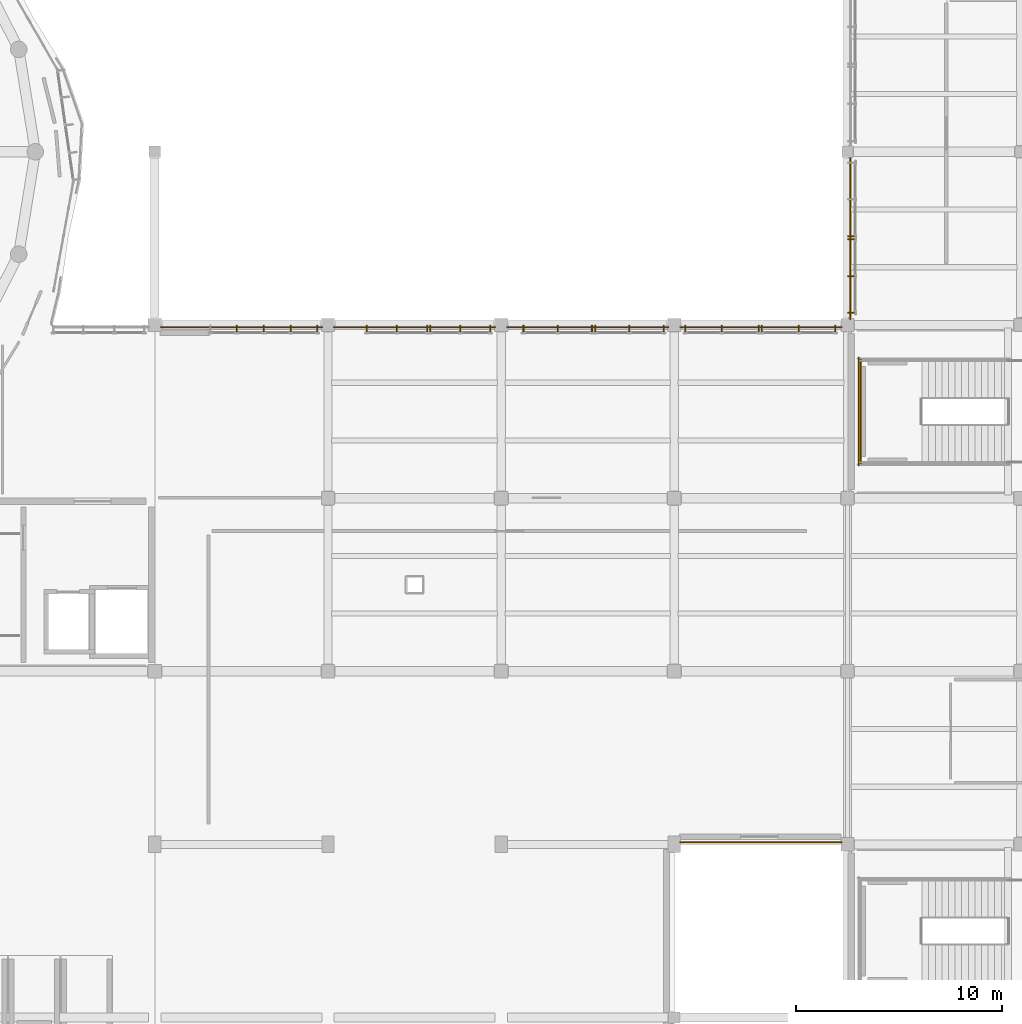
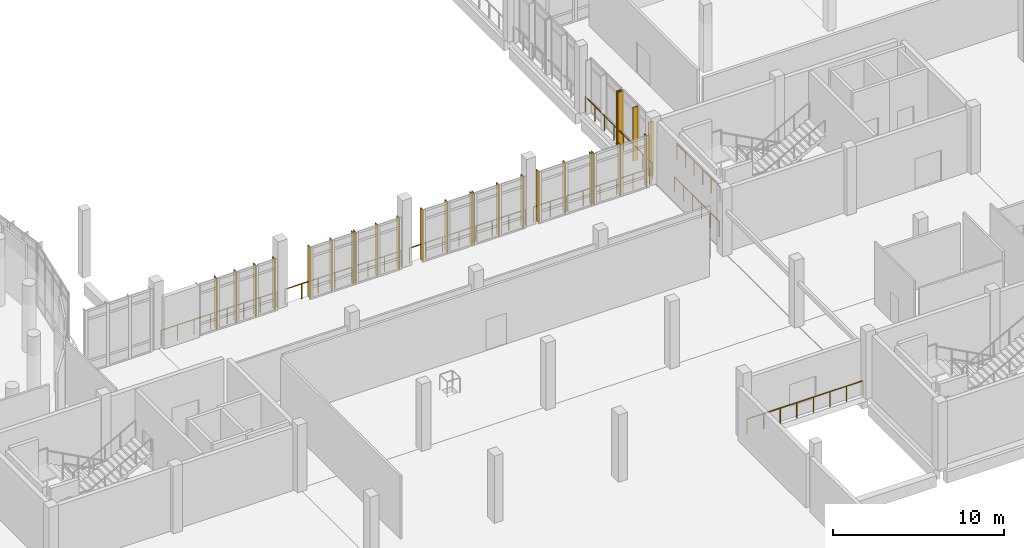
# One storey, part 54 of 63: 26 shading devices, 8 railings.
"""IFC4 building model written with IfcOpenShell, lengths in metres."""

from ifc_helpers import new_model, si_unit, derived_unit, direction, frame, origin, origin_2d, place, context, subcontext, project, spatial, rectangle, circle, extrude, material, type_object, element, save


model = new_model("IFC4")

# Units and contexts
model_context = context("Model", 3, precision=1e-05, world=origin(), true_north=direction((0.0, 1.0)))
body_context = subcontext(model_context, "Body", "Model", "MODEL_VIEW")
ifc_project = project(units=[si_unit("LENGTHUNIT", "METRE"), si_unit("AREAUNIT", "SQUARE_METRE"), si_unit("VOLUMEUNIT", "CUBIC_METRE"), si_unit("PLANEANGLEUNIT", "RADIAN"), si_unit("MASSUNIT", "GRAM", prefix="KILO"), derived_unit("THERMALTRANSMITTANCEUNIT", [(si_unit("POWERUNIT", "WATT"), 1), (si_unit("LENGTHUNIT", "METRE"), -2), (si_unit("THERMODYNAMICTEMPERATUREUNIT", "KELVIN"), -1)])], contexts=[model_context])

# Site, building, storey
site_placement = place(None, origin())
site = spatial("IfcSite", under=ifc_project, at=site_placement, CompositionType="ELEMENT")
building_placement = place(site_placement, origin())
building = spatial("IfcBuilding", under=site, at=building_placement, Name="Elbkamm Science Centre", CompositionType="ELEMENT")
storey_placement = place(building_placement, frame((0.0, 0.0, 5.10009765625)))
storey = spatial("IfcBuildingStorey", under=building, at=storey_placement, Name="L01", CompositionType="ELEMENT", Elevation=5.10009765625)

# Railings
ifc_material_1 = material(Name="Stainless steel EN 1.4401", Category="steel")
railing_type_1 = type_object("IfcRailingType", Name="RAIL-EXT-GUARD-1100", PredefinedType="GUARDRAIL", material=ifc_material_1)
railing_1_placement = place(storey_placement, frame((92.679931640625, 58.699951171875, 0.0)))
element("IfcRailing", 1, at=railing_1_placement, inside=storey, type_object=railing_type_1, Name="L01 Slab Edge Perimeter Guard 020", PredefinedType="GUARDRAIL", context=body_context, shape_type="SweptSolid", body=[
    extrude(circle(Radius=0.02392578125, at=origin_2d()), frame((0.0, 0.0, 1.078125), z_axis=(1.0, 0.0, 0.0), x_axis=(0.0, 1.0, 0.0)), (0.0, 0.0, 1.0), 7.840087890625),
    extrude(circle(Radius=0.02001953125, at=origin_2d()), origin(), (0.0, 0.0, 1.0), 1.048095703125),
    extrude(circle(Radius=0.02001953125, at=origin_2d()), frame((1.1201171875, 0.0, 0.0)), (0.0, 0.0, 1.0), 1.048095703125),
    extrude(circle(Radius=0.02001953125, at=origin_2d()), frame((2.239990234375, 0.0, 0.0)), (0.0, 0.0, 1.0), 1.048095703125),
    extrude(circle(Radius=0.02001953125, at=origin_2d()), frame((3.360107421875, 0.0, 0.0)), (0.0, 0.0, 1.0), 1.048095703125),
    extrude(circle(Radius=0.02001953125, at=origin_2d()), frame((4.47998046875, 0.0, 0.0)), (0.0, 0.0, 1.0), 1.048095703125),
    extrude(circle(Radius=0.02001953125, at=origin_2d()), frame((5.60009765625, 0.0, 0.0)), (0.0, 0.0, 1.0), 1.048095703125),
    extrude(circle(Radius=0.02001953125, at=origin_2d()), frame((6.719970703125, 0.0, 0.0)), (0.0, 0.0, 1.0), 1.048095703125),
    extrude(circle(Radius=0.02001953125, at=origin_2d()), frame((7.840087890625, 0.0, 0.0)), (0.0, 0.0, 1.0), 1.048095703125),
])
railing_2_placement = place(storey_placement, frame((101.080078125, 58.699951171875, 0.0)))
element("IfcRailing", 2, at=railing_2_placement, inside=storey, type_object=railing_type_1, Name="L01 Slab Edge Perimeter Guard 021", PredefinedType="GUARDRAIL", context=body_context, shape_type="SweptSolid", body=[
    extrude(circle(Radius=0.02392578125, at=origin_2d()), frame((0.0, 0.0, 1.078125), z_axis=(1.0, 0.0, 0.0), x_axis=(0.0, 1.0, 0.0)), (0.0, 0.0, 1.0), 7.83984375),
    extrude(circle(Radius=0.02001953125, at=origin_2d()), origin(), (0.0, 0.0, 1.0), 1.048095703125),
    extrude(circle(Radius=0.02001953125, at=origin_2d()), frame((1.119873046875, 0.0, 0.0)), (0.0, 0.0, 1.0), 1.048095703125),
    extrude(circle(Radius=0.02001953125, at=origin_2d()), frame((2.239990234375, 0.0, 0.0)), (0.0, 0.0, 1.0), 1.048095703125),
    extrude(circle(Radius=0.02001953125, at=origin_2d()), frame((3.35986328125, 0.0, 0.0)), (0.0, 0.0, 1.0), 1.048095703125),
    extrude(circle(Radius=0.02001953125, at=origin_2d()), frame((4.47998046875, 0.0, 0.0)), (0.0, 0.0, 1.0), 1.048095703125),
    extrude(circle(Radius=0.02001953125, at=origin_2d()), frame((5.599853515625, 0.0, 0.0)), (0.0, 0.0, 1.0), 1.048095703125),
    extrude(circle(Radius=0.02001953125, at=origin_2d()), frame((6.719970703125, 0.0, 0.0)), (0.0, 0.0, 1.0), 1.048095703125),
    extrude(circle(Radius=0.02001953125, at=origin_2d()), frame((7.83984375, 0.0, 0.0)), (0.0, 0.0, 1.0), 1.048095703125),
])
for number, where, name in (
    (3, (109.47998046875, 58.699951171875, 0.0), "L01 Slab Edge Perimeter Guard 022"),
    (4, (117.8798828125, 58.699951171875, 0.0), "L01 Slab Edge Perimeter Guard 023"),
):
    element("IfcRailing", number, at=place(storey_placement, frame(where)), inside=storey, type_object=railing_type_1, Name=name, PredefinedType="GUARDRAIL", context=body_context, shape_type="SweptSolid", body=[
        extrude(circle(Radius=0.02392578125, at=origin_2d()), frame((0.0, 0.0, 1.078125), z_axis=(1.0, 0.0, 0.0), x_axis=(0.0, 1.0, 0.0)), (0.0, 0.0, 1.0), 7.840087890625),
        extrude(circle(Radius=0.02001953125, at=origin_2d()), origin(), (0.0, 0.0, 1.0), 1.048095703125),
        extrude(circle(Radius=0.02001953125, at=origin_2d()), frame((1.1201171875, 0.0, 0.0)), (0.0, 0.0, 1.0), 1.048095703125),
        extrude(circle(Radius=0.02001953125, at=origin_2d()), frame((2.239990234375, 0.0, 0.0)), (0.0, 0.0, 1.0), 1.048095703125),
        extrude(circle(Radius=0.02001953125, at=origin_2d()), frame((3.360107421875, 0.0, 0.0)), (0.0, 0.0, 1.0), 1.048095703125),
        extrude(circle(Radius=0.02001953125, at=origin_2d()), frame((4.47998046875, 0.0, 0.0)), (0.0, 0.0, 1.0), 1.048095703125),
        extrude(circle(Radius=0.02001953125, at=origin_2d()), frame((5.60009765625, 0.0, 0.0)), (0.0, 0.0, 1.0), 1.048095703125),
        extrude(circle(Radius=0.02001953125, at=origin_2d()), frame((6.719970703125, 0.0, 0.0)), (0.0, 0.0, 1.0), 1.048095703125),
        extrude(circle(Radius=0.02001953125, at=origin_2d()), frame((7.840087890625, 0.0, 0.0)), (0.0, 0.0, 1.0), 1.048095703125),
    ])
railing_3_placement = place(storey_placement, frame((126.125, 59.078857421875, 0.0)))
element("IfcRailing", 5, at=railing_3_placement, inside=storey, type_object=railing_type_1, Name="L01 Slab Edge Perimeter Guard 024", PredefinedType="GUARDRAIL", context=body_context, shape_type="SweptSolid", body=[
    extrude(circle(Radius=0.02392578125, at=origin_2d()), frame((0.0, 0.0, 1.078125), z_axis=(0.0, 1.0, 0.0), x_axis=(-1.0, 0.0, 0.0)), (0.0, 0.0, 1.0), 7.84228515625),
    extrude(circle(Radius=0.02001953125, at=origin_2d()), origin(), (0.0, 0.0, 1.0), 1.048095703125),
    extrude(circle(Radius=0.02001953125, at=origin_2d()), frame((0.0, 1.120361328125, 0.0)), (0.0, 0.0, 1.0), 1.048095703125),
    extrude(circle(Radius=0.02001953125, at=origin_2d()), frame((0.0, 2.24072265625, 0.0)), (0.0, 0.0, 1.0), 1.048095703125),
    extrude(circle(Radius=0.02001953125, at=origin_2d()), frame((0.0, 3.361083984375, 0.0)), (0.0, 0.0, 1.0), 1.048095703125),
    extrude(circle(Radius=0.02001953125, at=origin_2d()), frame((0.0, 4.481201171875, 0.0)), (0.0, 0.0, 1.0), 1.048095703125),
    extrude(circle(Radius=0.02001953125, at=origin_2d()), frame((0.0, 5.6015625, 0.0)), (0.0, 0.0, 1.0), 1.048095703125),
    extrude(circle(Radius=0.02001953125, at=origin_2d()), frame((0.0, 6.721923828125, 0.0)), (0.0, 0.0, 1.0), 1.048095703125),
    extrude(circle(Radius=0.02001953125, at=origin_2d()), frame((0.0, 7.84228515625, 0.0)), (0.0, 0.0, 1.0), 1.048095703125),
])
railing_4_placement = place(storey_placement, frame((125.719970703125, 33.699951171875, 0.0)))
element("IfcRailing", 6, at=railing_4_placement, inside=storey, type_object=railing_type_1, Name="L01 Slab Edge Perimeter Guard 033", PredefinedType="GUARDRAIL", context=body_context, shape_type="SweptSolid", body=[
    extrude(circle(Radius=0.02392578125, at=origin_2d()), frame((0.0, 0.0, 1.078125), z_axis=(-1.0, 0.0, 0.0), x_axis=(0.0, -1.0, 0.0)), (0.0, 0.0, 1.0), 7.840087890625),
    extrude(circle(Radius=0.02001953125, at=origin_2d()), origin(), (0.0, 0.0, 1.0), 1.048095703125),
    extrude(circle(Radius=0.02001953125, at=origin_2d()), frame((-1.1201171875, 0.0, 0.0)), (0.0, 0.0, 1.0), 1.048095703125),
    extrude(circle(Radius=0.02001953125, at=origin_2d()), frame((-2.239990234375, 0.0, 0.0)), (0.0, 0.0, 1.0), 1.048095703125),
    extrude(circle(Radius=0.02001953125, at=origin_2d()), frame((-3.360107421875, 0.0, 0.0)), (0.0, 0.0, 1.0), 1.048095703125),
    extrude(circle(Radius=0.02001953125, at=origin_2d()), frame((-4.47998046875, 0.0, 0.0)), (0.0, 0.0, 1.0), 1.048095703125),
    extrude(circle(Radius=0.02001953125, at=origin_2d()), frame((-5.60009765625, 0.0, 0.0)), (0.0, 0.0, 1.0), 1.048095703125),
    extrude(circle(Radius=0.02001953125, at=origin_2d()), frame((-6.719970703125, 0.0, 0.0)), (0.0, 0.0, 1.0), 1.048095703125),
    extrude(circle(Radius=0.02001953125, at=origin_2d()), frame((-7.840087890625, 0.0, 0.0)), (0.0, 0.0, 1.0), 1.048095703125),
])
railing_type_2 = type_object("IfcRailingType", Name="RAIL-GUARD-1100", PredefinedType="GUARDRAIL", material=ifc_material_1)
railing_5_placement = place(storey_placement, frame((126.64990234375, 57.1201171875, 2.39990234375)))
element("IfcRailing", 7, at=railing_5_placement, inside=storey, type_object=railing_type_2, Name="L01 ST-C3 stair guard 5", PredefinedType="GUARDRAIL", context=body_context, shape_type="SweptSolid", body=[
    extrude(circle(Radius=0.02392578125, at=origin_2d()), frame((0.0, 0.0, 1.078125), z_axis=(0.0, -1.0, 0.0), x_axis=(1.0, 0.0, 0.0)), (0.0, 0.0, 1.0), 5.0400390625),
    extrude(circle(Radius=0.02001953125, at=origin_2d()), origin(), (0.0, 0.0, 1.0), 1.048095703125),
    extrude(circle(Radius=0.02001953125, at=origin_2d()), frame((0.0, -1.008056640625, 0.0)), (0.0, 0.0, 1.0), 1.048095703125),
    extrude(circle(Radius=0.02001953125, at=origin_2d()), frame((0.0, -2.01611328125, 0.0)), (0.0, 0.0, 1.0), 1.048095703125),
    extrude(circle(Radius=0.02001953125, at=origin_2d()), frame((0.0, -3.02392578125, 0.0)), (0.0, 0.0, 1.0), 1.048095703125),
    extrude(circle(Radius=0.02001953125, at=origin_2d()), frame((0.0, -4.031982421875, 0.0)), (0.0, 0.0, 1.0), 1.048095703125),
    extrude(circle(Radius=0.02001953125, at=origin_2d()), frame((0.0, -5.0400390625, 0.0)), (0.0, 0.0, 1.0), 1.048095703125),
])
railing_6_placement = place(storey_placement, frame((126.550048828125, 57.219970703125, 0.0)))
element("IfcRailing", 8, at=railing_6_placement, inside=storey, type_object=railing_type_2, Name="L01 ST-C3 stair guard 12", PredefinedType="GUARDRAIL", context=body_context, shape_type="SweptSolid", body=[
    extrude(circle(Radius=0.02392578125, at=origin_2d()), frame((0.0, 0.0, 1.078125), z_axis=(0.0, -1.0, 0.0), x_axis=(1.0, 0.0, 0.0)), (0.0, 0.0, 1.0), 5.239990234375),
    extrude(circle(Radius=0.02001953125, at=origin_2d()), origin(), (0.0, 0.0, 1.0), 1.048095703125),
    extrude(circle(Radius=0.02001953125, at=origin_2d()), frame((0.0, -1.048095703125, 0.0)), (0.0, 0.0, 1.0), 1.048095703125),
    extrude(circle(Radius=0.02001953125, at=origin_2d()), frame((0.0, -2.095947265625, 0.0)), (0.0, 0.0, 1.0), 1.048095703125),
    extrude(circle(Radius=0.02001953125, at=origin_2d()), frame((0.0, -3.14404296875, 0.0)), (0.0, 0.0, 1.0), 1.048095703125),
    extrude(circle(Radius=0.02001953125, at=origin_2d()), frame((0.0, -4.19189453125, 0.0)), (0.0, 0.0, 1.0), 1.048095703125),
    extrude(circle(Radius=0.02001953125, at=origin_2d()), frame((0.0, -5.239990234375, 0.0)), (0.0, 0.0, 1.0), 1.048095703125),
])

# Shading devices
ifc_material_2 = material(Name="Terracotta-ochre powder-coated aluminium EN AW-6060", Category="masonry")
shading_device_type = type_object("IfcShadingDeviceType", Name="SHD-LOUVRE-420", PredefinedType="USERDEFINED", material=ifc_material_2)
for number, where, z_axis, x_axis, name in (
    (9, (96.361572265625, 58.614990234375, 0.0), (0.0, 0.0, 1.0), (0.0, 1.0, 0.0), "L01 Brise-Soleil Sunshade Fin 0168"),
    (10, (97.678955078125, 58.614990234375, 0.0), (0.0, 0.0, 1.0), (0.0, 1.0, 0.0), "L01 Brise-Soleil Sunshade Fin 0169"),
    (11, (98.996337890625, 58.614990234375, 0.0), (0.0, 0.0, 1.0), (0.0, 1.0, 0.0), "L01 Brise-Soleil Sunshade Fin 0170"),
    (12, (100.27880859375, 58.614990234375, 0.0), (0.0, 0.0, 1.0), (0.0, 1.0, 0.0), "L01 Brise-Soleil Sunshade Fin 0171"),
    (13, (102.680419921875, 58.614990234375, 0.0), (0.0, 0.0, 1.0), (0.0, 1.0, 0.0), "L01 Brise-Soleil Sunshade Fin 0172"),
    (14, (104.142578125, 58.614990234375, 0.0), (0.0, 0.0, 1.0), (0.0, 1.0, 0.0), "L01 Brise-Soleil Sunshade Fin 0173"),
    (15, (105.6044921875, 58.614990234375, 0.0), (0.0, 0.0, 1.0), (0.0, 1.0, 0.0), "L01 Brise-Soleil Sunshade Fin 0174"),
    (16, (105.754638671875, 58.614990234375, 0.0), (0.0, 0.0, 1.0), (0.0, 1.0, 0.0), "L01 Brise-Soleil Sunshade Fin 0175"),
    (17, (107.216796875, 58.614990234375, 0.0), (0.0, 0.0, 1.0), (0.0, 1.0, 0.0), "L01 Brise-Soleil Sunshade Fin 0176"),
    (18, (108.6787109375, 58.614990234375, 0.0), (0.0, 0.0, 1.0), (0.0, 1.0, 0.0), "L01 Brise-Soleil Sunshade Fin 0177"),
    (19, (110.281982421875, 58.614990234375, 0.0), (0.0, 0.0, 1.0), (0.0, 1.0, 0.0), "L01 Brise-Soleil Sunshade Fin 0178"),
    (20, (111.943603515625, 58.614990234375, 0.0), (0.0, 0.0, 1.0), (0.0, 1.0, 0.0), "L01 Brise-Soleil Sunshade Fin 0179"),
    (21, (113.605224609375, 58.614990234375, 0.0), (0.0, 0.0, 1.0), (0.0, 1.0, 0.0), "L01 Brise-Soleil Sunshade Fin 0180"),
    (22, (113.75537109375, 58.614990234375, 0.0), (0.0, 0.0, 1.0), (0.0, 1.0, 0.0), "L01 Brise-Soleil Sunshade Fin 0181"),
    (23, (115.4169921875, 58.614990234375, 0.0), (0.0, 0.0, 1.0), (0.0, 1.0, 0.0), "L01 Brise-Soleil Sunshade Fin 0182"),
    (24, (117.07861328125, 58.614990234375, 0.0), (0.0, 0.0, 1.0), (0.0, 1.0, 0.0), "L01 Brise-Soleil Sunshade Fin 0183"),
    (25, (118.121337890625, 58.614990234375, 0.0), (0.0, 0.0, 1.0), (0.0, 1.0, 0.0), "L01 Brise-Soleil Sunshade Fin 0184"),
    (26, (119.9072265625, 58.614990234375, 0.0), (0.0, 0.0, 1.0), (0.0, 1.0, 0.0), "L01 Brise-Soleil Sunshade Fin 0185"),
    (27, (121.693115234375, 58.614990234375, 0.0), (0.0, 0.0, 1.0), (0.0, 1.0, 0.0), "L01 Brise-Soleil Sunshade Fin 0186"),
    (28, (121.843017578125, 58.614990234375, 0.0), (0.0, 0.0, 1.0), (0.0, 1.0, 0.0), "L01 Brise-Soleil Sunshade Fin 0187"),
    (29, (123.629150390625, 58.614990234375, 0.0), (0.0, 0.0, 1.0), (0.0, 1.0, 0.0), "L01 Brise-Soleil Sunshade Fin 0188"),
    (30, (125.4150390625, 58.614990234375, 0.0), (0.0, 0.0, 1.0), (0.0, 1.0, 0.0), "L01 Brise-Soleil Sunshade Fin 0189"),
):
    element("IfcShadingDevice", number, at=place(storey_placement, frame(where, z_axis=z_axis, x_axis=x_axis)), inside=storey, type_object=shading_device_type, Name=name, ObjectType="LOUVRE", PredefinedType="USERDEFINED", context=body_context, shape_type="SweptSolid", body=[
        extrude(rectangle(XDim=0.35009765625, YDim=0.050048828125, at=origin_2d()), origin(), (0.0, 0.0, 1.0), 3.64990234375),
    ])
for number, where, z_axis, x_axis, name in (
    (31, (126.18505859375, 59.385009765625, -0.000244140625), (0.0, 0.0, 1.0), (-1.0, 0.0, 0.0), "L01 Brise-Soleil Sunshade Fin 0190"),
    (32, (126.18505859375, 61.1708984375, -0.000244140625), (0.0, 0.0, 1.0), (-1.0, 0.0, 0.0), "L01 Brise-Soleil Sunshade Fin 0191"),
    (33, (126.18505859375, 62.956787109375, -0.000244140625), (0.0, 0.0, 1.0), (-1.0, 0.0, 0.0), "L01 Brise-Soleil Sunshade Fin 0192"),
    (34, (126.18505859375, 63.10693359375, -0.000244140625), (0.0, 0.0, 1.0), (-1.0, 0.0, 0.0), "L01 Brise-Soleil Sunshade Fin 0193"),
):
    element("IfcShadingDevice", number, at=place(storey_placement, frame(where, z_axis=z_axis, x_axis=x_axis)), inside=storey, type_object=shading_device_type, Name=name, ObjectType="LOUVRE", PredefinedType="USERDEFINED", context=body_context, shape_type="SweptSolid", body=[
        extrude(rectangle(XDim=0.35009765625, YDim=0.050048828125, at=origin_2d()), origin(), (0.0, 0.0, 1.0), 3.85009765625),
    ])

save(model, "model.ifc")
